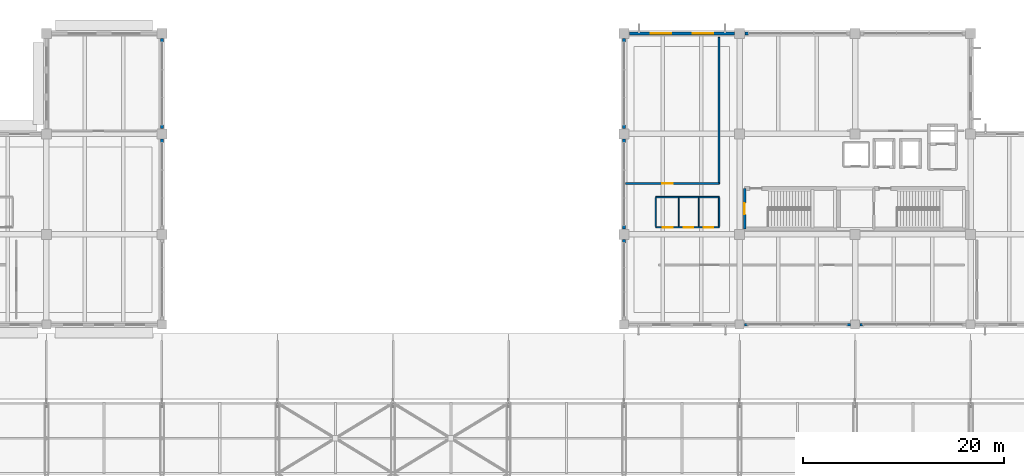
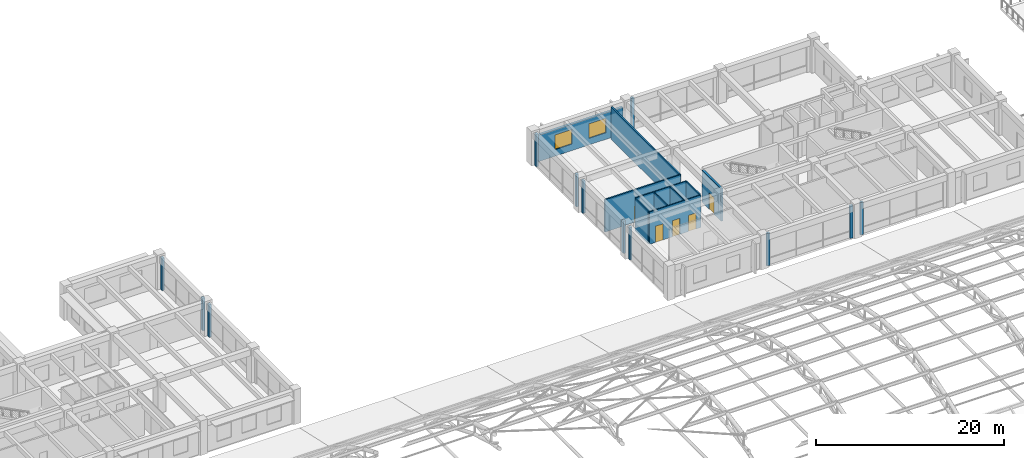
# One storey, part 140 of 154: 22 walls, 5 doors, 2 windows, 7 openings.
"""IFC4 building model written with IfcOpenShell, lengths in metres."""

from ifc_helpers import new_model, si_unit, direction, frame, frame_2d, origin, place, context, subcontext, project, spatial, rectangle, extrude, material, layer, layer_set, type_object, element, fill, save


model = new_model("IFC4")

# Units and contexts
model_context = context("Model", 3, precision=1e-05, world=origin(), true_north=direction((0.0, 1.0)))
body_context = subcontext(model_context, "Body", "Model", "MODEL_VIEW")
ifc_project = project(units=[si_unit("LENGTHUNIT", "METRE"), si_unit("AREAUNIT", "SQUARE_METRE"), si_unit("VOLUMEUNIT", "CUBIC_METRE"), si_unit("PLANEANGLEUNIT", "RADIAN"), si_unit("MASSUNIT", "GRAM", prefix="KILO")], contexts=[model_context])

# Site, building, storey
site_placement = place(None, origin())
site = spatial("IfcSite", under=ifc_project, at=site_placement, CompositionType="ELEMENT")
building_placement = place(site_placement, origin())
building = spatial("IfcBuilding", under=site, at=building_placement, Name="Ologun Quay Terminus", CompositionType="ELEMENT")
storey_placement = place(building_placement, frame((0.0, 0.0, 13.800048828125)))
storey = spatial("IfcBuildingStorey", under=building, at=storey_placement, Name="L03", CompositionType="ELEMENT", Elevation=13.800048828125)

# Walls
ifc_material_1 = material(Name="Concrete C40/50", Category="concrete")
ifc_layer_1 = layer(ifc_material_1, 0.280029296875)
ifc_layer_set_1 = layer_set([ifc_layer_1], Name="Concrete C40/50")
wall_type_1 = type_object("IfcWallType", Name="Courtyard Wing Spandrel Concrete Wall 280", PredefinedType="SOLIDWALL", material=ifc_layer_set_1)
wall_1_placement = place(storey_placement, frame((69.0, 103.929931640625, 0.0), z_axis=(0.0, 0.0, 1.0), x_axis=(0.0, 1.0, 0.0)))
element("IfcWall", 1, at=wall_1_placement, inside=storey, type_object=wall_type_1, Name="Curtain Wall Jamb Pier CW-L03-112-J2", PredefinedType="SOLIDWALL", context=body_context, shape_type="SweptSolid", body=[
    extrude(rectangle(XDim=0.35009765625, YDim=0.280029296875, at=frame_2d((0.175048828125, 0.0))), origin(), (0.0, 0.0, 1.0), 4.22998046875),
])
wall_2_placement = place(storey_placement, frame((69.0, 105.320068359375, 0.0), z_axis=(0.0, 0.0, 1.0), x_axis=(0.0, 1.0, 0.0)))
element("IfcWall", 2, at=wall_2_placement, inside=storey, type_object=wall_type_1, Name="Curtain Wall Jamb Pier CW-L03-113-J1", PredefinedType="SOLIDWALL", context=body_context, shape_type="SweptSolid", body=[
    extrude(rectangle(XDim=0.349853515625, YDim=0.280029296875, at=frame_2d((0.1748046875, 0.0))), origin(), (0.0, 0.0, 1.0), 4.22998046875),
])
for number, where, z_axis, x_axis, name in (
    (3, (69.0, 113.929931640625, 0.0), (0.0, 0.0, 1.0), (0.0, 1.0, 0.0), "Curtain Wall Jamb Pier CW-L03-113-J2"),
    (4, (126.969970703125, 85.800048828125, 0.0), (0.0, 0.0, 1.0), (1.0, 0.0, 0.0), "Curtain Wall Jamb Pier CW-L03-138-J1"),
    (5, (137.179931640625, 85.800048828125, 0.0), (0.0, 0.0, 1.0), (1.0, 0.0, 0.0), "Curtain Wall Jamb Pier CW-L03-138-J2"),
    (6, (138.469970703125, 85.800048828125, 0.0), (0.0, 0.0, 1.0), (1.0, 0.0, 0.0), "Curtain Wall Jamb Pier CW-L03-139-J1"),
):
    element("IfcWall", number, at=place(storey_placement, frame(where, z_axis=z_axis, x_axis=x_axis)), inside=storey, type_object=wall_type_1, Name=name, PredefinedType="SOLIDWALL", context=body_context, shape_type="SweptSolid", body=[
        extrude(rectangle(XDim=0.35009765625, YDim=0.280029296875, at=frame_2d((0.175048828125, 0.0))), origin(), (0.0, 0.0, 1.0), 4.22998046875),
    ])

# Wall, openings, windows
wall_3_placement = place(storey_placement, frame((115.52001953125, 114.800048828125, 0.0), z_axis=(0.0, 0.0, 1.0), x_axis=(1.0, 0.0, 0.0)))
wall_3 = element("IfcWall", 7, at=wall_3_placement, inside=storey, type_object=wall_type_1, Name="EW-02 Facade Wall WEW-EW-L03-9", PredefinedType="SOLIDWALL", context=body_context, shape_type="SweptSolid", body=[
    extrude(rectangle(XDim=10.4599609375, YDim=0.280029296875, at=frame_2d((5.22998046875, 0.0))), origin(), (0.0, 0.0, 1.0), 3.449951171875),
])
opening_1_placement = place(wall_3_placement, frame((2.1201171875, 0.0, 0.85009765625)))
opening_1 = element("IfcOpeningElement", 8, at=opening_1_placement, cuts=wall_3, Name="Opening WN-426", PredefinedType="OPENING", context=body_context, shape_type="SweptSolid", body=[
    extrude(rectangle(XDim=2.050048828125, YDim=1.89990234375, at=frame_2d((1.02490234375, 0.949951171875))), frame((0.0, 0.14990234375, 0.0), z_axis=(0.0, -1.0, 0.0), x_axis=(1.0, 0.0, 0.0)), (0.0, 0.0, 1.0), 0.300048828125),
])
opening_2_placement = place(wall_3_placement, frame((6.2900390625, 0.0, 0.85009765625)))
opening_2 = element("IfcOpeningElement", 9, at=opening_2_placement, cuts=wall_3, Name="Opening WN-427", PredefinedType="OPENING", context=body_context, shape_type="SweptSolid", body=[
    extrude(rectangle(XDim=2.050048828125, YDim=1.89990234375, at=frame_2d((1.02490234375, 0.949951171875))), frame((0.0, 0.14990234375, 0.0), z_axis=(0.0, -1.0, 0.0), x_axis=(1.0, 0.0, 0.0)), (0.0, 0.0, 1.0), 0.300048828125),
])
ifc_material_2 = material(Name="Glass", Category="glass")
window_type = type_object("IfcWindowType", Name="Dispatch Hall Twin Window 2050x1900", PartitioningType="SINGLE_PANEL", PredefinedType="WINDOW", material=ifc_material_2)
window_1_placement = place(opening_1_placement, origin())
window_1 = element("IfcWindow", 10, at=window_1_placement, inside=storey, type_object=window_type, Name="W-22 Window WN-426", OverallHeight=1.89990234375, OverallWidth=2.050048828125, PartitioningType="SINGLE_PANEL", PredefinedType="WINDOW", context=body_context, shape_type="SweptSolid", body=[
    extrude(rectangle(XDim=2.050048828125, YDim=1.89990234375, at=frame_2d((1.02490234375, 0.949951171875))), frame((0.0, 0.030029296875, 0.0), z_axis=(0.0, -1.0, 0.0), x_axis=(1.0, 0.0, 0.0)), (0.0, 0.0, 1.0), 0.06005859375),
])
fill(opening_1, window_1)
window_2_placement = place(opening_2_placement, origin())
window_2 = element("IfcWindow", 11, at=window_2_placement, inside=storey, type_object=window_type, Name="W-22 Window WN-427", OverallHeight=1.89990234375, OverallWidth=2.050048828125, PartitioningType="SINGLE_PANEL", PredefinedType="WINDOW", context=body_context, shape_type="SweptSolid", body=[
    extrude(rectangle(XDim=2.050048828125, YDim=1.89990234375, at=frame_2d((1.02490234375, 0.949951171875))), frame((0.0, 0.030029296875, 0.0), z_axis=(0.0, -1.0, 0.0), x_axis=(1.0, 0.0, 0.0)), (0.0, 0.0, 1.0), 0.06005859375),
])
fill(opening_2, window_2)

# Walls
for number, where, z_axis, x_axis, name in (
    (12, (127.02001953125, 114.800048828125, 0.0), (0.0, 0.0, 1.0), (1.0, 0.0, 0.0), "Curtain Wall Jamb Pier CW-L03-140-J1"),
    (13, (115.0, 93.929931640625, 0.0), (0.0, 0.0, 1.0), (0.0, 1.0, 0.0), "Curtain Wall Jamb Pier CW-L03-142-J2"),
):
    element("IfcWall", number, at=place(storey_placement, frame(where, z_axis=z_axis, x_axis=x_axis)), inside=storey, type_object=wall_type_1, Name=name, PredefinedType="SOLIDWALL", context=body_context, shape_type="SweptSolid", body=[
        extrude(rectangle(XDim=0.35009765625, YDim=0.280029296875, at=frame_2d((0.175048828125, 0.0))), origin(), (0.0, 0.0, 1.0), 4.22998046875),
    ])
wall_4_placement = place(storey_placement, frame((115.0, 95.320068359375, 0.0), z_axis=(0.0, 0.0, 1.0), x_axis=(0.0, 1.0, 0.0)))
element("IfcWall", 14, at=wall_4_placement, inside=storey, type_object=wall_type_1, Name="Curtain Wall Jamb Pier CW-L03-143-J1", PredefinedType="SOLIDWALL", context=body_context, shape_type="SweptSolid", body=[
    extrude(rectangle(XDim=0.349853515625, YDim=0.280029296875, at=frame_2d((0.1748046875, 0.0))), origin(), (0.0, 0.0, 1.0), 4.22998046875),
])
wall_5_placement = place(storey_placement, frame((115.0, 103.929931640625, 0.0), z_axis=(0.0, 0.0, 1.0), x_axis=(0.0, 1.0, 0.0)))
element("IfcWall", 15, at=wall_5_placement, inside=storey, type_object=wall_type_1, Name="Curtain Wall Jamb Pier CW-L03-143-J2", PredefinedType="SOLIDWALL", context=body_context, shape_type="SweptSolid", body=[
    extrude(rectangle(XDim=0.35009765625, YDim=0.280029296875, at=frame_2d((0.175048828125, 0.0))), origin(), (0.0, 0.0, 1.0), 4.22998046875),
])
wall_6_placement = place(storey_placement, frame((115.0, 105.320068359375, 0.0), z_axis=(0.0, 0.0, 1.0), x_axis=(0.0, 1.0, 0.0)))
element("IfcWall", 16, at=wall_6_placement, inside=storey, type_object=wall_type_1, Name="Curtain Wall Jamb Pier CW-L03-144-J1", PredefinedType="SOLIDWALL", context=body_context, shape_type="SweptSolid", body=[
    extrude(rectangle(XDim=0.349853515625, YDim=0.280029296875, at=frame_2d((0.1748046875, 0.0))), origin(), (0.0, 0.0, 1.0), 4.22998046875),
])
wall_7_placement = place(storey_placement, frame((115.0, 113.929931640625, 0.0), z_axis=(0.0, 0.0, 1.0), x_axis=(0.0, 1.0, 0.0)))
element("IfcWall", 17, at=wall_7_placement, inside=storey, type_object=wall_type_1, Name="Curtain Wall Jamb Pier CW-L03-144-J2", PredefinedType="SOLIDWALL", context=body_context, shape_type="SweptSolid", body=[
    extrude(rectangle(XDim=0.35009765625, YDim=0.280029296875, at=frame_2d((0.175048828125, 0.0))), origin(), (0.0, 0.0, 1.0), 4.22998046875),
])

# Wall, opening, door
ifc_material_3 = material(Name="Concrete C40/50", Category="concrete")
ifc_layer_2 = layer(ifc_material_3, 0.239990234375)
ifc_layer_set_2 = layer_set([ifc_layer_2], Name="Concrete C40/50")
wall_type_2 = type_object("IfcWallType", Name="Fire Compartment Blockwork Wall 240", PredefinedType="SOLIDWALL", material=ifc_layer_set_2)
wall_8_placement = place(storey_placement, frame((127.0, 95.330078125, 0.0), z_axis=(0.0, 0.0, 1.0), x_axis=(0.0, 1.0, 0.0)))
wall_8 = element("IfcWall", 18, at=wall_8_placement, inside=storey, type_object=wall_type_2, Name="PW-01 Partition EStair1-W", PredefinedType="SOLIDWALL", context=body_context, shape_type="SweptSolid", body=[
    extrude(rectangle(XDim=4.0400390625, YDim=0.239990234375, at=frame_2d((2.02001953125, 0.0))), origin(), (0.0, 0.0, 1.0), 4.219970703125),
])
opening_3_placement = place(wall_8_placement, frame((1.449951171875, 0.0, 0.0)))
opening_3 = element("IfcOpeningElement", 19, at=opening_3_placement, cuts=wall_8, Name="Opening ID-198", PredefinedType="OPENING", context=body_context, shape_type="SweptSolid", body=[
    extrude(rectangle(XDim=1.1298828125, YDim=2.14990234375, at=frame_2d((0.56494140625, 1.074951171875))), frame((0.0, 0.1298828125, 0.0), z_axis=(0.0, -1.0, 0.0), x_axis=(1.0, 0.0, 0.0)), (0.0, 0.0, 1.0), 0.260009765625),
])
ifc_material_4 = material(Name="Steel S355", Category="steel")
door_type_1 = type_object("IfcDoorType", Name="Stairwell Fire Escape Door 1130x2150", OperationType="SINGLE_SWING_LEFT", PredefinedType="DOOR", material=ifc_material_4)
door_1_placement = place(opening_3_placement, frame((0.56494140625, 0.0, 0.0), z_axis=(0.0, 0.0, 1.0), x_axis=(-1.0, 0.0, 0.0)))
door_1 = element("IfcDoor", 20, at=door_1_placement, inside=storey, type_object=door_type_1, Name="FD-01 Door ID-198", OperationType="SINGLE_SWING_LEFT", OverallHeight=2.14990234375, OverallWidth=1.1298828125, PredefinedType="DOOR", context=body_context, shape_type="SweptSolid", body=[
    extrude(rectangle(XDim=1.1298828125, YDim=2.14990234375, at=frame_2d((0.0, 1.074951171875))), frame((0.0, 0.02490234375, 0.0), z_axis=(0.0, -1.0, 0.0), x_axis=(1.0, 0.0, 0.0)), (0.0, 0.0, 1.0), 0.050048828125),
])
fill(opening_3, door_1)

# Walls
ifc_material_5 = material(Name="Gypsum Acoustic Stud")
ifc_layer_3 = layer(ifc_material_5, 0.10498046875)
ifc_layer_set_3 = layer_set([ifc_layer_3], Name="Gypsum Acoustic Stud")
wall_type_3 = type_object("IfcWallType", Name="Light Cubicle Partition 105", PredefinedType="PARTITIONING", material=ifc_layer_set_3)
for number, where, z_axis, x_axis, name in (
    (21, (120.449951171875, 95.60009765625, 0.0), (0.0, 0.0, 1.0), (0.0, 1.0, 0.0), "PW-13 Partition EWC-D1"),
    (22, (122.449951171875, 95.60009765625, 0.0), (0.0, 0.0, 1.0), (0.0, 1.0, 0.0), "PW-13 Partition EWC-D2"),
):
    element("IfcWall", number, at=place(storey_placement, frame(where, z_axis=z_axis, x_axis=x_axis)), inside=storey, type_object=wall_type_3, Name=name, PredefinedType="PARTITIONING", context=body_context, shape_type="SweptSolid", body=[
        extrude(rectangle(XDim=2.849853515625, YDim=0.10498046875, at=frame_2d((1.4248046875, 0.0))), origin(), (0.0, 0.0, 1.0), 4.219970703125),
    ])

# Wall, opening, door
ifc_material_6 = material(Name="Gypsum Acoustic Stud")
ifc_layer_4 = layer(ifc_material_6, 0.175048828125)
ifc_layer_set_4 = layer_set([ifc_layer_4], Name="Gypsum Acoustic Stud")
wall_type_4 = type_object("IfcWallType", Name="Operations & Control Acoustic Partition 175", PredefinedType="PARTITIONING", material=ifc_layer_set_4)
wall_9_placement = place(storey_placement, frame((115.159912109375, 99.85009765625, 0.0), z_axis=(0.0, 0.0, 1.0), x_axis=(1.0, 0.0, 0.0)))
wall_9 = element("IfcWall", 23, at=wall_9_placement, inside=storey, type_object=wall_type_4, Name="PW-03 Partition L03-StationAdmin-E", PredefinedType="PARTITIONING", context=body_context, shape_type="SweptSolid", body=[
    extrude(rectangle(XDim=9.2900390625, YDim=0.175048828125, at=frame_2d((4.64501953125, 0.0))), origin(), (0.0, 0.0, 1.0), 4.219970703125),
])
opening_4_placement = place(wall_9_placement, frame((3.639892578125, 0.0, 0.0)))
opening_4 = element("IfcOpeningElement", 24, at=opening_4_placement, cuts=wall_9, Name="Opening ID-329", PredefinedType="OPENING", context=body_context, shape_type="SweptSolid", body=[
    extrude(rectangle(XDim=1.02001953125, YDim=2.14990234375, at=frame_2d((0.510009765625, 1.074951171875))), frame((0.0, 0.09765625, 0.0), z_axis=(0.0, -1.0, 0.0), x_axis=(1.0, 0.0, 0.0)), (0.0, 0.0, 1.0), 0.195068359375),
])
ifc_material_7 = material(Name="Timber Hardwood", Category="wood")
door_type_2 = type_object("IfcDoorType", Name="Administration Suite Door 1020x2150", OperationType="SINGLE_SWING_RIGHT", PredefinedType="DOOR", material=ifc_material_7)
door_2_placement = place(opening_4_placement, origin())
door_2 = element("IfcDoor", 25, at=door_2_placement, inside=storey, type_object=door_type_2, Name="ID-02 Door ID-329", OperationType="SINGLE_SWING_RIGHT", OverallHeight=2.14990234375, OverallWidth=1.02001953125, PredefinedType="DOOR", context=body_context, shape_type="SweptSolid", body=[
    extrude(rectangle(XDim=1.02001953125, YDim=2.14990234375, at=frame_2d((0.510009765625, 1.074951171875))), frame((0.0, 0.02490234375, 0.0), z_axis=(0.0, -1.0, 0.0), x_axis=(1.0, 0.0, 0.0)), (0.0, 0.0, 1.0), 0.050048828125),
])
fill(opening_4, door_2)

# Wall
wall_10_placement = place(storey_placement, frame((124.449951171875, 99.85009765625, 0.0), z_axis=(0.0, 0.0, 1.0), x_axis=(0.0, 1.0, 0.0)))
element("IfcWall", 26, at=wall_10_placement, inside=storey, type_object=wall_type_4, Name="PW-03 Partition L03-StationAdmin-N", PredefinedType="PARTITIONING", context=body_context, shape_type="SweptSolid", body=[
    extrude(rectangle(XDim=14.5498046875, YDim=0.175048828125, at=frame_2d((7.27490234375, 0.0))), origin(), (0.0, 0.0, 1.0), 4.219970703125),
])

# Wall, openings, doors
ifc_material_8 = material(Name="Concrete C40/50", Category="concrete")
ifc_layer_5 = layer(ifc_material_8, 0.139892578125)
ifc_layer_set_5 = layer_set([ifc_layer_5], Name="Concrete C40/50")
wall_type_5 = type_object("IfcWallType", Name="Sanitary Wet-Area Blockwork Wall 140", PredefinedType="PLUMBINGWALL", material=ifc_layer_set_5)
wall_11_placement = place(storey_placement, frame((118.14990234375, 95.5, 0.0), z_axis=(0.0, 0.0, 1.0), x_axis=(1.0, 0.0, 0.0)))
wall_11 = element("IfcWall", 27, at=wall_11_placement, inside=storey, type_object=wall_type_5, Name="PW-06 Partition EWC-S", PredefinedType="PLUMBINGWALL", context=body_context, shape_type="SweptSolid", body=[
    extrude(rectangle(XDim=6.300048828125, YDim=0.139892578125, at=frame_2d((3.14990234375, 0.0))), origin(), (0.0, 0.0, 1.0), 4.219970703125),
])
opening_5_placement = place(wall_11_placement, frame((0.719970703125, 0.0, 0.0)))
opening_5 = element("IfcOpeningElement", 28, at=opening_5_placement, cuts=wall_11, Name="Opening ID-204", PredefinedType="OPENING", context=body_context, shape_type="SweptSolid", body=[
    extrude(rectangle(XDim=0.949951171875, YDim=2.10009765625, at=frame_2d((0.47509765625, 1.050048828125))), frame((0.0, 0.080078125, 0.0), z_axis=(0.0, -1.0, 0.0), x_axis=(1.0, 0.0, 0.0)), (0.0, 0.0, 1.0), 0.159912109375),
])
opening_6_placement = place(wall_11_placement, frame((2.800048828125, 0.0, 0.0)))
opening_6 = element("IfcOpeningElement", 29, at=opening_6_placement, cuts=wall_11, Name="Opening ID-205", PredefinedType="OPENING", context=body_context, shape_type="SweptSolid", body=[
    extrude(rectangle(XDim=0.919921875, YDim=2.10009765625, at=frame_2d((0.4599609375, 1.050048828125))), frame((0.0, 0.080078125, 0.0), z_axis=(0.0, -1.0, 0.0), x_axis=(1.0, 0.0, 0.0)), (0.0, 0.0, 1.0), 0.159912109375),
])
opening_7_placement = place(wall_11_placement, frame((4.800048828125, 0.0, 0.0)))
opening_7 = element("IfcOpeningElement", 30, at=opening_7_placement, cuts=wall_11, Name="Opening ID-206", PredefinedType="OPENING", context=body_context, shape_type="SweptSolid", body=[
    extrude(rectangle(XDim=0.919921875, YDim=2.10009765625, at=frame_2d((0.4599609375, 1.050048828125))), frame((0.0, 0.080078125, 0.0), z_axis=(0.0, -1.0, 0.0), x_axis=(1.0, 0.0, 0.0)), (0.0, 0.0, 1.0), 0.159912109375),
])
ifc_material_9 = material(Name="Timber Hardwood", Category="wood")
door_type_3 = type_object("IfcDoorType", Name="Accessible WC Outward-Swing Door 950x2100", OperationType="SINGLE_SWING_LEFT", PredefinedType="DOOR", material=ifc_material_9)
door_3_placement = place(opening_5_placement, frame((0.47509765625, 0.0, 0.0), z_axis=(0.0, 0.0, 1.0), x_axis=(-1.0, 0.0, 0.0)))
door_3 = element("IfcDoor", 31, at=door_3_placement, inside=storey, type_object=door_type_3, Name="ID-04 Door ID-204", OperationType="SINGLE_SWING_LEFT", OverallHeight=2.10009765625, OverallWidth=0.949951171875, PredefinedType="DOOR", context=body_context, shape_type="SweptSolid", body=[
    extrude(rectangle(XDim=0.949951171875, YDim=2.10009765625, at=frame_2d((0.0, 1.050048828125))), frame((0.0, 0.02490234375, 0.0), z_axis=(0.0, -1.0, 0.0), x_axis=(1.0, 0.0, 0.0)), (0.0, 0.0, 1.0), 0.050048828125),
])
fill(opening_5, door_3)
ifc_material_10 = material(Name="Timber Hardwood", Category="wood")
door_type_4 = type_object("IfcDoorType", Name="Sanitary Block Entrance Door 920x2100", OperationType="SINGLE_SWING_RIGHT", PredefinedType="DOOR", material=ifc_material_10)
door_4_placement = place(opening_6_placement, origin())
door_4 = element("IfcDoor", 32, at=door_4_placement, inside=storey, type_object=door_type_4, Name="ID-05 Door ID-205", OperationType="SINGLE_SWING_RIGHT", OverallHeight=2.10009765625, OverallWidth=0.919921875, PredefinedType="DOOR", context=body_context, shape_type="SweptSolid", body=[
    extrude(rectangle(XDim=0.919921875, YDim=2.10009765625, at=frame_2d((0.4599609375, 1.050048828125))), frame((0.0, 0.02490234375, 0.0), z_axis=(0.0, -1.0, 0.0), x_axis=(1.0, 0.0, 0.0)), (0.0, 0.0, 1.0), 0.050048828125),
])
fill(opening_6, door_4)
door_5_placement = place(opening_7_placement, origin())
door_5 = element("IfcDoor", 33, at=door_5_placement, inside=storey, type_object=door_type_4, Name="ID-05 Door ID-206", OperationType="SINGLE_SWING_RIGHT", OverallHeight=2.10009765625, OverallWidth=0.919921875, PredefinedType="DOOR", context=body_context, shape_type="SweptSolid", body=[
    extrude(rectangle(XDim=0.919921875, YDim=2.10009765625, at=frame_2d((0.4599609375, 1.050048828125))), frame((0.0, 0.02490234375, 0.0), z_axis=(0.0, -1.0, 0.0), x_axis=(1.0, 0.0, 0.0)), (0.0, 0.0, 1.0), 0.050048828125),
])
fill(opening_7, door_5)

# Walls
for number, where, z_axis, x_axis, name in (
    (34, (118.14990234375, 95.60009765625, 0.0), (0.0, 0.0, 1.0), (0.0, 1.0, 0.0), "PW-06 Partition EWC-W"),
    (35, (124.449951171875, 95.60009765625, 0.0), (0.0, 0.0, 1.0), (0.0, 1.0, 0.0), "PW-06 Partition EWC-E"),
):
    element("IfcWall", number, at=place(storey_placement, frame(where, z_axis=z_axis, x_axis=x_axis)), inside=storey, type_object=wall_type_5, Name=name, PredefinedType="PLUMBINGWALL", context=body_context, shape_type="SweptSolid", body=[
        extrude(rectangle(XDim=2.849853515625, YDim=0.139892578125, at=frame_2d((1.4248046875, 0.0))), origin(), (0.0, 0.0, 1.0), 4.219970703125),
    ])
wall_12_placement = place(storey_placement, frame((118.14990234375, 98.5, 0.0), z_axis=(0.0, 0.0, 1.0), x_axis=(1.0, 0.0, 0.0)))
element("IfcWall", 36, at=wall_12_placement, inside=storey, type_object=wall_type_5, Name="PW-06 Partition EWC-N", PredefinedType="PLUMBINGWALL", context=body_context, shape_type="SweptSolid", body=[
    extrude(rectangle(XDim=6.300048828125, YDim=0.139892578125, at=frame_2d((3.14990234375, 0.0))), origin(), (0.0, 0.0, 1.0), 4.219970703125),
])

save(model, "model.ifc")
